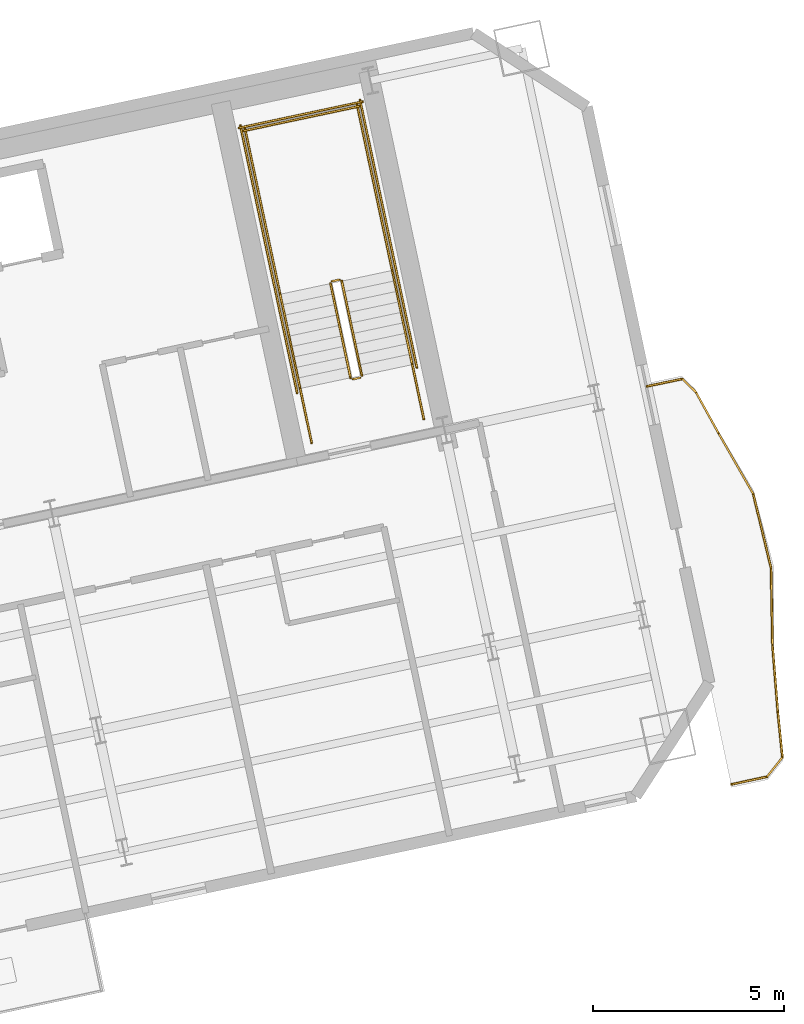
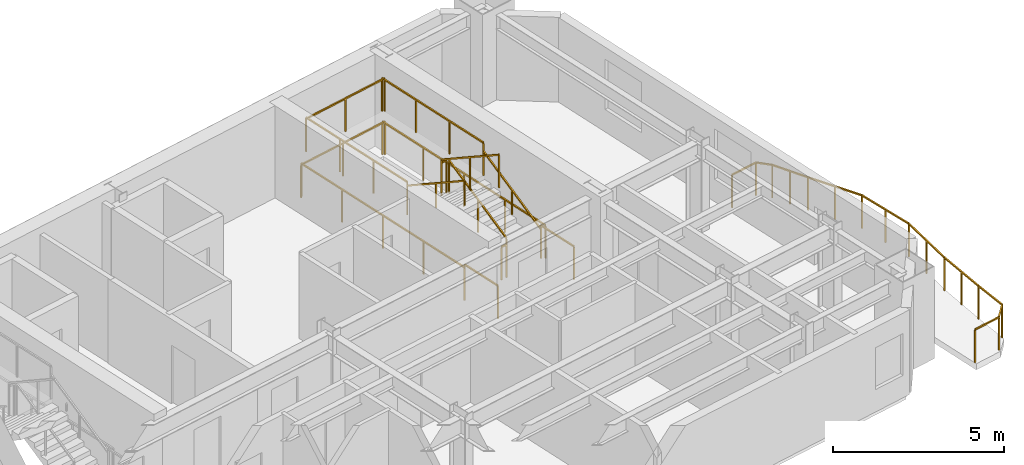
# One storey, part 13 of 13: 24 railings.
"""IFC4 building model written with IfcOpenShell, lengths in metres."""

from ifc_helpers import new_model, si_unit, direction, frame, origin, origin_2d, place, context, subcontext, project, spatial, rectangle, extrude, material, type_object, element, save


model = new_model("IFC4")

# Units and contexts
model_context = context("Model", 3, precision=1e-05, world=origin(), true_north=direction((0.0, 1.0)))
body_context = subcontext(model_context, "Body", "Model", "MODEL_VIEW")
ifc_project = project(units=[si_unit("LENGTHUNIT", "METRE"), si_unit("AREAUNIT", "SQUARE_METRE"), si_unit("VOLUMEUNIT", "CUBIC_METRE"), si_unit("PLANEANGLEUNIT", "RADIAN"), si_unit("MASSUNIT", "GRAM", prefix="KILO")], contexts=[model_context])

# Site, building, storey
site_placement = place(None, origin())
site = spatial("IfcSite", under=ifc_project, at=site_placement, CompositionType="ELEMENT")
building_placement = place(site_placement, origin())
building = spatial("IfcBuilding", under=site, at=building_placement, Name="Haevon Station Towers", CompositionType="ELEMENT")
storey_placement = place(building_placement, frame((0.0, 0.0, 159.300048828125)))
storey = spatial("IfcBuildingStorey", under=building, at=storey_placement, Name="L43", CompositionType="ELEMENT", Elevation=159.300048828125)

# Railings
ifc_material = material(Name="Steel S355", Category="steel")
railing_type_1 = type_object("IfcRailingType", Name="GRD-EXT1200", PredefinedType="GUARDRAIL", material=ifc_material)
railing_1_placement = place(storey_placement, frame((126.807861328125, 32.541259765625, 0.0)))
element("IfcRailing", 1, at=railing_1_placement, inside=storey, type_object=railing_type_1, Name="L43 Perimeter Guardrail 1", PredefinedType="GUARDRAIL", context=body_context, shape_type="SweptSolid", body=[
    extrude(rectangle(XDim=0.048095703125, YDim=0.048095703125, at=origin_2d()), frame((0.0, 0.0, 1.17578125), z_axis=(0.977684892297, 0.210076774952, 0.0), x_axis=(-0.210076774952, 0.977684892297, 0.0)), (0.0, 0.0, 1.0), 0.943603515625),
    extrude(rectangle(XDim=0.0419921875, YDim=0.0419921875, at=origin_2d()), origin(), (0.0, 0.0, 1.0), 1.15185546875),
    extrude(rectangle(XDim=0.0419921875, YDim=0.0419921875, at=origin_2d()), frame((0.922607421875, 0.1982421875, 0.0)), (0.0, 0.0, 1.0), 1.15185546875),
])
railing_2_placement = place(storey_placement, frame((127.73046875, 32.739501953125, 0.0)))
element("IfcRailing", 2, at=railing_2_placement, inside=storey, type_object=railing_type_1, Name="L43 Perimeter Guardrail 2", PredefinedType="GUARDRAIL", context=body_context, shape_type="SweptSolid", body=[
    extrude(rectangle(XDim=0.048095703125, YDim=0.048095703125, at=origin_2d()), frame((0.0, 0.0, 1.17578125), z_axis=(0.622202546772, 0.782856302773, 0.0), x_axis=(-0.782856302773, 0.622202546772, 0.0)), (0.0, 0.0, 1.0), 0.645751953125),
    extrude(rectangle(XDim=0.0419921875, YDim=0.0419921875, at=origin_2d()), origin(), (0.0, 0.0, 1.0), 1.15185546875),
    extrude(rectangle(XDim=0.0419921875, YDim=0.0419921875, at=origin_2d()), frame((0.40185546875, 0.505615234375, 0.0)), (0.0, 0.0, 1.0), 1.15185546875),
])
railing_3_placement = place(storey_placement, frame((128.13232421875, 33.2451171875, 0.0)))
element("IfcRailing", 3, at=railing_3_placement, inside=storey, type_object=railing_type_1, Name="L43 Perimeter Guardrail 3", PredefinedType="GUARDRAIL", context=body_context, shape_type="SweptSolid", body=[
    extrude(rectangle(XDim=0.048095703125, YDim=0.048095703125, at=origin_2d()), frame((0.0, 0.0, 1.17578125), z_axis=(-0.100776535208, 0.994909086274, 0.0), x_axis=(-0.994909086274, -0.100776535208, 0.0)), (0.0, 0.0, 1.0), 1.177490234375),
    extrude(rectangle(XDim=0.0419921875, YDim=0.0419921875, at=origin_2d()), origin(), (0.0, 0.0, 1.0), 1.15185546875),
    extrude(rectangle(XDim=0.0419921875, YDim=0.0419921875, at=origin_2d()), frame((-0.11865234375, 1.17138671875, 0.0)), (0.0, 0.0, 1.0), 1.15185546875),
])
railing_4_placement = place(storey_placement, frame((128.013671875, 34.41650390625, 0.0)))
element("IfcRailing", 4, at=railing_4_placement, inside=storey, type_object=railing_type_1, Name="L43 Perimeter Guardrail 4", PredefinedType="GUARDRAIL", context=body_context, shape_type="SweptSolid", body=[
    extrude(rectangle(XDim=0.048095703125, YDim=0.048095703125, at=origin_2d()), frame((0.0, 0.0, 1.17578125), z_axis=(-0.080135783241, 0.996783956655, 0.0), x_axis=(-0.996783956655, -0.080135783241, 0.0)), (0.0, 0.0, 1.0), 1.763916015625),
    extrude(rectangle(XDim=0.0419921875, YDim=0.0419921875, at=origin_2d()), origin(), (0.0, 0.0, 1.0), 1.15185546875),
    extrude(rectangle(XDim=0.0419921875, YDim=0.0419921875, at=origin_2d()), frame((-0.07080078125, 0.879150390625, 0.0)), (0.0, 0.0, 1.0), 1.15185546875),
    extrude(rectangle(XDim=0.0419921875, YDim=0.0419921875, at=origin_2d()), frame((-0.141357421875, 1.75830078125, 0.0)), (0.0, 0.0, 1.0), 1.15185546875),
])
railing_5_placement = place(storey_placement, frame((127.872314453125, 36.1748046875, 0.0)))
element("IfcRailing", 5, at=railing_5_placement, inside=storey, type_object=railing_type_1, Name="L43 Perimeter Guardrail 5", PredefinedType="GUARDRAIL", context=body_context, shape_type="SweptSolid", body=[
    extrude(rectangle(XDim=0.048095703125, YDim=0.048095703125, at=origin_2d()), frame((0.0, 0.0, 1.17578125), z_axis=(-0.018557729268, 0.999827790514, 0.0), x_axis=(-0.999827790514, -0.018557729268, 0.0)), (0.0, 0.0, 1.0), 2.02587890625),
    extrude(rectangle(XDim=0.0419921875, YDim=0.0419921875, at=origin_2d()), origin(), (0.0, 0.0, 1.0), 1.15185546875),
    extrude(rectangle(XDim=0.0419921875, YDim=0.0419921875, at=origin_2d()), frame((-0.018798828125, 1.0126953125, 0.0)), (0.0, 0.0, 1.0), 1.15185546875),
    extrude(rectangle(XDim=0.0419921875, YDim=0.0419921875, at=origin_2d()), frame((-0.03759765625, 2.025634765625, 0.0)), (0.0, 0.0, 1.0), 1.15185546875),
])
railing_6_placement = place(storey_placement, frame((127.834716796875, 38.200439453125, 0.0)))
element("IfcRailing", 6, at=railing_6_placement, inside=storey, type_object=railing_type_1, Name="L43 Perimeter Guardrail 6", PredefinedType="GUARDRAIL", context=body_context, shape_type="SweptSolid", body=[
    extrude(rectangle(XDim=0.048095703125, YDim=0.048095703125, at=origin_2d()), frame((0.0, 0.0, 1.17578125), z_axis=(-0.233623019351, 0.972327251922, 0.0), x_axis=(-0.972327251922, -0.233623019351, 0.0)), (0.0, 0.0, 1.0), 1.993896484375),
    extrude(rectangle(XDim=0.0419921875, YDim=0.0419921875, at=origin_2d()), origin(), (0.0, 0.0, 1.0), 1.15185546875),
    extrude(rectangle(XDim=0.0419921875, YDim=0.0419921875, at=origin_2d()), frame((-0.23291015625, 0.96923828125, 0.0)), (0.0, 0.0, 1.0), 1.15185546875),
    extrude(rectangle(XDim=0.0419921875, YDim=0.0419921875, at=origin_2d()), frame((-0.4658203125, 1.938720703125, 0.0)), (0.0, 0.0, 1.0), 1.15185546875),
])
railing_7_placement = place(storey_placement, frame((127.368896484375, 40.13916015625, 0.0)))
element("IfcRailing", 7, at=railing_7_placement, inside=storey, type_object=railing_type_1, Name="L43 Perimeter Guardrail 7", PredefinedType="GUARDRAIL", context=body_context, shape_type="SweptSolid", body=[
    extrude(rectangle(XDim=0.048095703125, YDim=0.048095703125, at=origin_2d()), frame((0.0, 0.0, 1.17578125), z_axis=(-0.496440147692, 0.868070953183, 0.0), x_axis=(-0.868070953183, -0.496440147692, 0.0)), (0.0, 0.0, 1.0), 1.832763671875),
    extrude(rectangle(XDim=0.0419921875, YDim=0.0419921875, at=origin_2d()), origin(), (0.0, 0.0, 1.0), 1.15185546875),
    extrude(rectangle(XDim=0.0419921875, YDim=0.0419921875, at=origin_2d()), frame((-0.455078125, 0.79541015625, 0.0)), (0.0, 0.0, 1.0), 1.15185546875),
    extrude(rectangle(XDim=0.0419921875, YDim=0.0419921875, at=origin_2d()), frame((-0.909912109375, 1.591064453125, 0.0)), (0.0, 0.0, 1.0), 1.15185546875),
])
railing_8_placement = place(storey_placement, frame((126.458984375, 41.730224609375, 0.0)))
element("IfcRailing", 8, at=railing_8_placement, inside=storey, type_object=railing_type_1, Name="L43 Perimeter Guardrail 8", PredefinedType="GUARDRAIL", context=body_context, shape_type="SweptSolid", body=[
    extrude(rectangle(XDim=0.048095703125, YDim=0.048095703125, at=origin_2d()), frame((0.0, 0.0, 1.17578125), z_axis=(-0.482163987032, 0.876080983477, 0.0), x_axis=(-0.876080983477, -0.482163987032, 0.0)), (0.0, 0.0, 1.0), 1.222900390625),
    extrude(rectangle(XDim=0.0419921875, YDim=0.0419921875, at=origin_2d()), origin(), (0.0, 0.0, 1.0), 1.15185546875),
    extrude(rectangle(XDim=0.0419921875, YDim=0.0419921875, at=origin_2d()), frame((-0.294921875, 0.53564453125, 0.0)), (0.0, 0.0, 1.0), 1.15185546875),
    extrude(rectangle(XDim=0.0419921875, YDim=0.0419921875, at=origin_2d()), frame((-0.589599609375, 1.0712890625, 0.0)), (0.0, 0.0, 1.0), 1.15185546875),
])
railing_9_placement = place(storey_placement, frame((125.869384765625, 42.801513671875, 0.0)))
element("IfcRailing", 9, at=railing_9_placement, inside=storey, type_object=railing_type_1, Name="L43 Perimeter Guardrail 9", PredefinedType="GUARDRAIL", context=body_context, shape_type="SweptSolid", body=[
    extrude(rectangle(XDim=0.048095703125, YDim=0.048095703125, at=origin_2d()), frame((0.0, 0.0, 1.17578125), z_axis=(-0.712536329819, 0.70163521768, 0.0), x_axis=(-0.70163521768, -0.712536329819, 0.0)), (0.0, 0.0, 1.0), 0.49267578125),
    extrude(rectangle(XDim=0.0419921875, YDim=0.0419921875, at=origin_2d()), origin(), (0.0, 0.0, 1.0), 1.15185546875),
    extrude(rectangle(XDim=0.0419921875, YDim=0.0419921875, at=origin_2d()), frame((-0.35107421875, 0.345703125, 0.0)), (0.0, 0.0, 1.0), 1.15185546875),
])
railing_10_placement = place(storey_placement, frame((125.518310546875, 43.147216796875, 0.0)))
element("IfcRailing", 10, at=railing_10_placement, inside=storey, type_object=railing_type_1, Name="L43 Perimeter Guardrail 10", PredefinedType="GUARDRAIL", context=body_context, shape_type="SweptSolid", body=[
    extrude(rectangle(XDim=0.048095703125, YDim=0.048095703125, at=origin_2d()), frame((0.0, 0.0, 1.17578125), z_axis=(-0.978571736022, -0.205906186062, 0.0), x_axis=(0.205906186062, -0.978571736022, 0.0)), (0.0, 0.0, 1.0), 0.94384765625),
    extrude(rectangle(XDim=0.0419921875, YDim=0.0419921875, at=origin_2d()), origin(), (0.0, 0.0, 1.0), 1.15185546875),
    extrude(rectangle(XDim=0.0419921875, YDim=0.0419921875, at=origin_2d()), frame((-0.923583984375, -0.1943359375, 0.0)), (0.0, 0.0, 1.0), 1.15185546875),
])
railing_type_2 = type_object("IfcRailingType", Name="GRD-STR1200", PredefinedType="GUARDRAIL", material=ifc_material)
railing_11_placement = place(storey_placement, frame((117.128662109375, 43.23974609375, 0.1650390625)))
element("IfcRailing", 11, at=railing_11_placement, inside=storey, type_object=railing_type_2, Name="L43 ST4 Stair Guard 1", PredefinedType="GUARDRAIL", context=body_context, shape_type="SweptSolid", body=[
    extrude(rectangle(XDim=0.048095703125, YDim=0.048095703125, at=origin_2d()), frame((0.0, 0.0, 1.17578125), z_axis=(-0.179128856099, 0.842723639875, 0.507670877349), x_axis=(-0.978147030254, -0.207914374695, 0.0)), (0.0, 0.0, 1.0), 2.9248046875),
    extrude(rectangle(XDim=0.0419921875, YDim=0.0419921875, at=origin_2d()), origin(), (0.0, 0.0, 1.0), 1.15185546875),
    extrude(rectangle(XDim=0.0419921875, YDim=0.0419921875, at=origin_2d()), frame((-0.261962890625, 1.232421875, 0.742431640625)), (0.0, 0.0, 1.0), 1.15185546875),
    extrude(rectangle(XDim=0.0419921875, YDim=0.0419921875, at=origin_2d()), frame((-0.52392578125, 2.46484375, 1.48486328125)), (0.0, 0.0, 1.0), 1.15185546875),
])
railing_12_placement = place(storey_placement, frame((116.54541015625, 45.7431640625, 1.64990234375)))
element("IfcRailing", 12, at=railing_12_placement, inside=storey, type_object=railing_type_2, Name="L43 ST4 Stair Guard 2", PredefinedType="GUARDRAIL", context=body_context, shape_type="SweptSolid", body=[
    extrude(rectangle(XDim=0.048095703125, YDim=0.048095703125, at=origin_2d()), frame((0.0, 0.0, 1.17578125), z_axis=(-0.97826412705, -0.207362720198, 0.0), x_axis=(0.207362720198, -0.97826412705, 0.0)), (0.0, 0.0, 1.0), 0.2001953125),
    extrude(rectangle(XDim=0.0419921875, YDim=0.0419921875, at=origin_2d()), origin(), (0.0, 0.0, 1.0), 1.15185546875),
    extrude(rectangle(XDim=0.0419921875, YDim=0.0419921875, at=origin_2d()), frame((-0.19580078125, -0.04150390625, 0.0)), (0.0, 0.0, 1.0), 1.15185546875),
])
railing_13_placement = place(storey_placement, frame((117.925048828125, 45.9853515625, 1.64990234375)))
element("IfcRailing", 13, at=railing_13_placement, inside=storey, type_object=railing_type_2, Name="L43 ST4 Stair Guard 3", PredefinedType="GUARDRAIL", context=body_context, shape_type="SweptSolid", body=[
    extrude(rectangle(XDim=0.048095703125, YDim=0.048095703125, at=origin_2d()), frame((0.0, 0.0, 1.17578125), z_axis=(-0.207876551949, 0.978155069071, 0.0), x_axis=(-0.978155069071, -0.207876551949, 0.0)), (0.0, 0.0, 1.0), 4.429931640625),
    extrude(rectangle(XDim=0.0419921875, YDim=0.0419921875, at=origin_2d()), origin(), (0.0, 0.0, 1.0), 1.15185546875),
    extrude(rectangle(XDim=0.0419921875, YDim=0.0419921875, at=origin_2d()), frame((-0.306884765625, 1.4443359375, 0.0)), (0.0, 0.0, 1.0), 1.15185546875),
    extrude(rectangle(XDim=0.0419921875, YDim=0.0419921875, at=origin_2d()), frame((-0.614013671875, 2.888916015625, 0.0)), (0.0, 0.0, 1.0), 1.15185546875),
    extrude(rectangle(XDim=0.0419921875, YDim=0.0419921875, at=origin_2d()), frame((-0.9208984375, 4.333251953125, 0.0)), (0.0, 0.0, 1.0), 1.15185546875),
])
railing_14_placement = place(storey_placement, frame((114.99072265625, 45.361572265625, 1.64990234375)))
element("IfcRailing", 14, at=railing_14_placement, inside=storey, type_object=railing_type_2, Name="L43 ST4 Stair Guard 4", PredefinedType="GUARDRAIL", context=body_context, shape_type="SweptSolid", body=[
    extrude(rectangle(XDim=0.048095703125, YDim=0.048095703125, at=origin_2d()), frame((0.0, 0.0, 1.17578125), z_axis=(-0.207929280007, 0.978143861871, 0.0), x_axis=(-0.978143861871, -0.207929280007, 0.0)), (0.0, 0.0, 1.0), 4.43017578125),
    extrude(rectangle(XDim=0.0419921875, YDim=0.0419921875, at=origin_2d()), origin(), (0.0, 0.0, 1.0), 1.15185546875),
    extrude(rectangle(XDim=0.0419921875, YDim=0.0419921875, at=origin_2d()), frame((-0.30712890625, 1.4443359375, 0.0)), (0.0, 0.0, 1.0), 1.15185546875),
    extrude(rectangle(XDim=0.0419921875, YDim=0.0419921875, at=origin_2d()), frame((-0.614013671875, 2.888916015625, 0.0)), (0.0, 0.0, 1.0), 1.15185546875),
    extrude(rectangle(XDim=0.0419921875, YDim=0.0419921875, at=origin_2d()), frame((-0.921142578125, 4.333251953125, 0.0)), (0.0, 0.0, 1.0), 1.15185546875),
])
railing_15_placement = place(storey_placement, frame((117.0634765625, 50.280029296875, 1.64990234375)))
element("IfcRailing", 15, at=railing_15_placement, inside=storey, type_object=railing_type_2, Name="L43 ST4 Stair Guard 5", PredefinedType="GUARDRAIL", context=body_context, shape_type="SweptSolid", body=[
    extrude(rectangle(XDim=0.048095703125, YDim=0.048095703125, at=origin_2d()), frame((0.0, 0.0, 1.17578125), z_axis=(-0.978146839882, -0.207915270313, 0.0), x_axis=(0.207915270313, -0.978146839882, 0.0)), (0.0, 0.0, 1.0), 3.099853515625),
    extrude(rectangle(XDim=0.0419921875, YDim=0.0419921875, at=origin_2d()), origin(), (0.0, 0.0, 1.0), 1.15185546875),
    extrude(rectangle(XDim=0.0419921875, YDim=0.0419921875, at=origin_2d()), frame((-1.51611328125, -0.322265625, 0.0)), (0.0, 0.0, 1.0), 1.15185546875),
    extrude(rectangle(XDim=0.0419921875, YDim=0.0419921875, at=origin_2d()), frame((-3.0322265625, -0.64453125, 0.0)), (0.0, 0.0, 1.0), 1.15185546875),
])
railing_16_placement = place(storey_placement, frame((116.311279296875, 45.642333984375, 1.81494140625)))
element("IfcRailing", 16, at=railing_16_placement, inside=storey, type_object=railing_type_2, Name="L43 ST4 Stair Guard 6", PredefinedType="GUARDRAIL", context=body_context, shape_type="SweptSolid", body=[
    extrude(rectangle(XDim=0.048095703125, YDim=0.048095703125, at=origin_2d()), frame((0.0, 0.0, 1.17578125), z_axis=(0.179108667068, -0.842712120868, 0.50769712105), x_axis=(0.978151217824, 0.207894673017, 0.0)), (0.0, 0.0, 1.0), 2.92529296875),
    extrude(rectangle(XDim=0.0419921875, YDim=0.0419921875, at=origin_2d()), origin(), (0.0, 0.0, 1.0), 1.15185546875),
    extrude(rectangle(XDim=0.0419921875, YDim=0.0419921875, at=origin_2d()), frame((0.261962890625, -1.232421875, 0.74267578125)), (0.0, 0.0, 1.0), 1.15185546875),
    extrude(rectangle(XDim=0.0419921875, YDim=0.0419921875, at=origin_2d()), frame((0.52392578125, -2.465087890625, 1.485107421875)), (0.0, 0.0, 1.0), 1.15185546875),
])
railing_17_placement = place(storey_placement, frame((117.090087890625, 43.180419921875, 0.0)))
element("IfcRailing", 17, at=railing_17_placement, inside=storey, type_object=railing_type_2, Name="L43 ST4 Stair Guard 7", PredefinedType="GUARDRAIL", context=body_context, shape_type="SweptSolid", body=[
    extrude(rectangle(XDim=0.048095703125, YDim=0.048095703125, at=origin_2d()), frame((0.0, 0.0, 1.17578125), z_axis=(-0.978211583308, -0.207610448392, 0.0), x_axis=(0.207610448392, -0.978211583308, 0.0)), (0.0, 0.0, 1.0), 0.199951171875),
    extrude(rectangle(XDim=0.0419921875, YDim=0.0419921875, at=origin_2d()), origin(), (0.0, 0.0, 1.0), 1.15185546875),
    extrude(rectangle(XDim=0.0419921875, YDim=0.0419921875, at=origin_2d()), frame((-0.195556640625, -0.04150390625, 0.0)), (0.0, 0.0, 1.0), 1.15185546875),
])
for number, where, name in (
    (18, (118.75048828125, 42.10205078125, 0.0), "L43 ST4 Stair Guard 8"),
    (19, (115.816162109375, 41.478271484375, 0.0), "L43 ST4 Stair Guard 9"),
):
    element("IfcRailing", number, at=place(storey_placement, frame(where)), inside=storey, type_object=railing_type_2, Name=name, PredefinedType="GUARDRAIL", context=body_context, shape_type="SweptSolid", body=[
        extrude(rectangle(XDim=0.048095703125, YDim=0.048095703125, at=origin_2d()), frame((0.0, 0.0, 1.17578125), z_axis=(-0.207919161079, 0.978146012851, 0.0), x_axis=(-0.978146012851, -0.207919161079, 0.0)), (0.0, 0.0, 1.0), 1.4501953125),
        extrude(rectangle(XDim=0.0419921875, YDim=0.0419921875, at=origin_2d()), origin(), (0.0, 0.0, 1.0), 1.15185546875),
        extrude(rectangle(XDim=0.0419921875, YDim=0.0419921875, at=origin_2d()), frame((-0.301513671875, 1.41845703125, 0.0)), (0.0, 0.0, 1.0), 1.15185546875),
    ])
railing_18_placement = place(storey_placement, frame((118.567626953125, 43.443359375, 0.0)))
element("IfcRailing", 20, at=railing_18_placement, inside=storey, type_object=railing_type_2, Name="L43 ST4 Stair Guard 10", PredefinedType="GUARDRAIL", context=body_context, shape_type="SweptSolid", body=[
    extrude(rectangle(XDim=0.048095703125, YDim=0.048095703125, at=origin_2d()), frame((0.0, 0.0, 1.17578125), z_axis=(-0.207908168386, 0.978148349443, 0.0), x_axis=(-0.978148349443, -0.207908168386, 0.0)), (0.0, 0.0, 1.0), 7.150146484375),
    extrude(rectangle(XDim=0.0419921875, YDim=0.0419921875, at=origin_2d()), origin(), (0.0, 0.0, 1.0), 1.15185546875),
    extrude(rectangle(XDim=0.0419921875, YDim=0.0419921875, at=origin_2d()), frame((-0.37158203125, 1.74853515625, 0.0)), (0.0, 0.0, 1.0), 1.15185546875),
    extrude(rectangle(XDim=0.0419921875, YDim=0.0419921875, at=origin_2d()), frame((-0.7431640625, 3.4970703125, 0.0)), (0.0, 0.0, 1.0), 1.15185546875),
    extrude(rectangle(XDim=0.0419921875, YDim=0.0419921875, at=origin_2d()), frame((-1.114990234375, 5.245361328125, 0.0)), (0.0, 0.0, 1.0), 1.15185546875),
    extrude(rectangle(XDim=0.0419921875, YDim=0.0419921875, at=origin_2d()), frame((-1.486572265625, 6.993896484375, 0.0)), (0.0, 0.0, 1.0), 1.15185546875),
])
railing_19_placement = place(storey_placement, frame((115.4375, 42.778076171875, 0.0)))
element("IfcRailing", 21, at=railing_19_placement, inside=storey, type_object=railing_type_2, Name="L43 ST4 Stair Guard 11", PredefinedType="GUARDRAIL", context=body_context, shape_type="SweptSolid", body=[
    extrude(rectangle(XDim=0.048095703125, YDim=0.048095703125, at=origin_2d()), frame((0.0, 0.0, 1.17578125), z_axis=(-0.207882442208, 0.978153817261, 0.0), x_axis=(-0.978153817261, -0.207882442208, 0.0)), (0.0, 0.0, 1.0), 7.14990234375),
    extrude(rectangle(XDim=0.0419921875, YDim=0.0419921875, at=origin_2d()), origin(), (0.0, 0.0, 1.0), 1.15185546875),
    extrude(rectangle(XDim=0.0419921875, YDim=0.0419921875, at=origin_2d()), frame((-0.37158203125, 1.74853515625, 0.0)), (0.0, 0.0, 1.0), 1.15185546875),
    extrude(rectangle(XDim=0.0419921875, YDim=0.0419921875, at=origin_2d()), frame((-0.7431640625, 3.496826171875, 0.0)), (0.0, 0.0, 1.0), 1.15185546875),
    extrude(rectangle(XDim=0.0419921875, YDim=0.0419921875, at=origin_2d()), frame((-1.11474609375, 5.2451171875, 0.0)), (0.0, 0.0, 1.0), 1.15185546875),
    extrude(rectangle(XDim=0.0419921875, YDim=0.0419921875, at=origin_2d()), frame((-1.486328125, 6.99365234375, 0.0)), (0.0, 0.0, 1.0), 1.15185546875),
])
railing_20_placement = place(storey_placement, frame((117.140380859375, 50.398681640625, 0.0)))
element("IfcRailing", 22, at=railing_20_placement, inside=storey, type_object=railing_type_2, Name="L43 ST4 Stair Guard 12", PredefinedType="GUARDRAIL", context=body_context, shape_type="SweptSolid", body=[
    extrude(rectangle(XDim=0.048095703125, YDim=0.048095703125, at=origin_2d()), frame((0.0, 0.0, 1.17578125), z_axis=(-0.978135717418, -0.207967589567, 0.0), x_axis=(0.207967589567, -0.978135717418, 0.0)), (0.0, 0.0, 1.0), 3.300048828125),
    extrude(rectangle(XDim=0.0419921875, YDim=0.0419921875, at=origin_2d()), origin(), (0.0, 0.0, 1.0), 1.15185546875),
    extrude(rectangle(XDim=0.0419921875, YDim=0.0419921875, at=origin_2d()), frame((-1.61376953125, -0.34326171875, 0.0)), (0.0, 0.0, 1.0), 1.15185546875),
    extrude(rectangle(XDim=0.0419921875, YDim=0.0419921875, at=origin_2d()), frame((-3.227783203125, -0.686279296875, 0.0)), (0.0, 0.0, 1.0), 1.15185546875),
])
railing_type_3 = type_object("IfcRailingType", Name="HND-STR900", PredefinedType="HANDRAIL", material=ifc_material)
railing_21_placement = place(storey_placement, frame((118.448974609375, 43.5205078125, 0.1650390625)))
element("IfcRailing", 23, at=railing_21_placement, inside=storey, type_object=railing_type_3, Name="L43 ST4 Stair Handrail 1", PredefinedType="HANDRAIL", context=body_context, shape_type="SweptSolid", body=[
    extrude(rectangle(XDim=0.048095703125, YDim=0.048095703125, at=origin_2d()), frame((0.0, 0.0, 0.8759765625), z_axis=(-0.179128856099, 0.842723639875, 0.507670877349), x_axis=(-0.978147030254, -0.207914374695, 0.0)), (0.0, 0.0, 1.0), 2.9248046875),
    extrude(rectangle(XDim=0.0419921875, YDim=0.0419921875, at=origin_2d()), origin(), (0.0, 0.0, 1.0), 0.851806640625),
    extrude(rectangle(XDim=0.0419921875, YDim=0.0419921875, at=origin_2d()), frame((-0.261962890625, 1.232421875, 0.742431640625)), (0.0, 0.0, 1.0), 0.851806640625),
    extrude(rectangle(XDim=0.0419921875, YDim=0.0419921875, at=origin_2d()), frame((-0.52392578125, 2.46484375, 1.48486328125)), (0.0, 0.0, 1.0), 0.851806640625),
])
railing_22_placement = place(storey_placement, frame((114.99072265625, 45.361572265625, 1.81494140625)))
element("IfcRailing", 24, at=railing_22_placement, inside=storey, type_object=railing_type_3, Name="L43 ST4 Stair Handrail 2", PredefinedType="HANDRAIL", context=body_context, shape_type="SweptSolid", body=[
    extrude(rectangle(XDim=0.048095703125, YDim=0.048095703125, at=origin_2d()), frame((0.0, 0.0, 0.8759765625), z_axis=(0.179121265225, -0.842687928106, 0.507732831485), x_axis=(0.978147030254, 0.207914374695, 0.0)), (0.0, 0.0, 1.0), 2.925048828125),
    extrude(rectangle(XDim=0.0419921875, YDim=0.0419921875, at=origin_2d()), origin(), (0.0, 0.0, 1.0), 0.851806640625),
    extrude(rectangle(XDim=0.0419921875, YDim=0.0419921875, at=origin_2d()), frame((0.261962890625, -1.232421875, 0.74267578125)), (0.0, 0.0, 1.0), 0.851806640625),
    extrude(rectangle(XDim=0.0419921875, YDim=0.0419921875, at=origin_2d()), frame((0.52392578125, -2.46484375, 1.485107421875)), (0.0, 0.0, 1.0), 0.851806640625),
])

save(model, "model.ifc")
